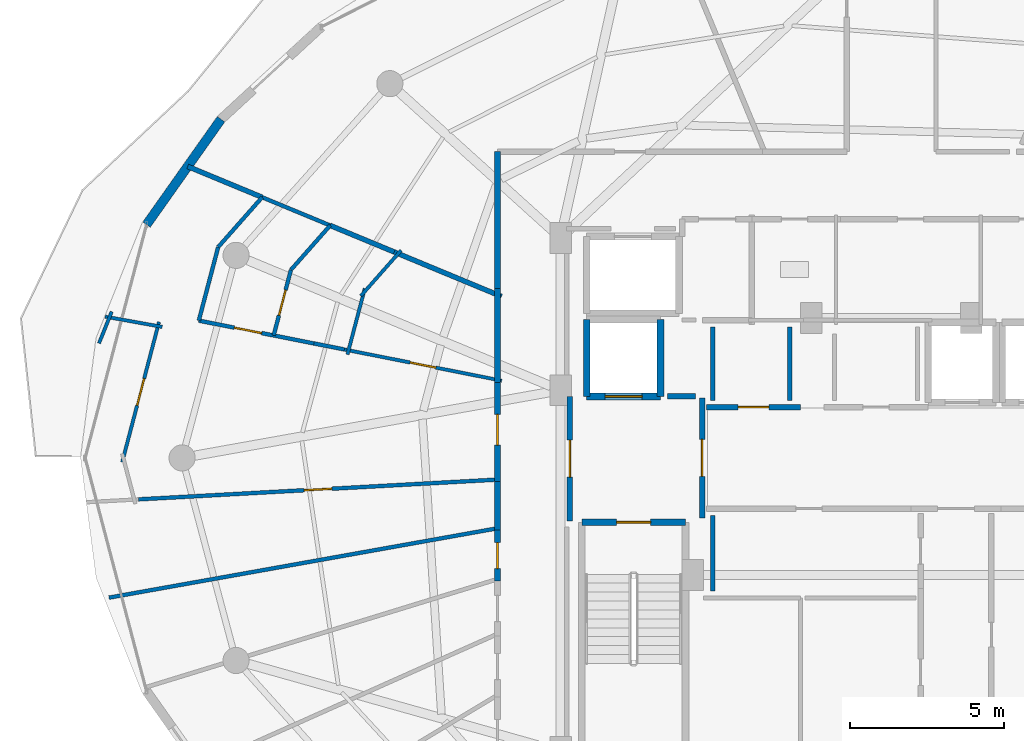
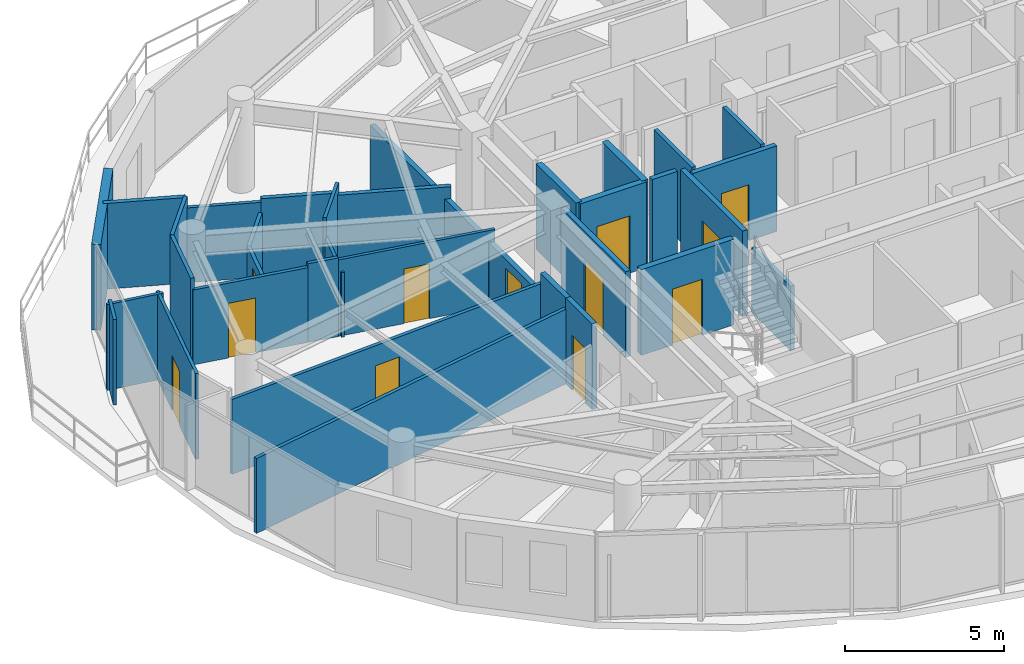
# One storey, part 22 of 30: 35 walls, 12 doors, 12 openings.
"""IFC4 building model written with IfcOpenShell, lengths in metres."""

from ifc_helpers import new_model, si_unit, direction, frame, frame_2d, origin, place, context, subcontext, project, spatial, rectangle, extrude, material, layer, layer_set, type_object, element, fill, save


model = new_model("IFC4")

# Units and contexts
model_context = context("Model", 3, precision=1e-05, world=origin(), true_north=direction((0.0, 1.0)))
body_context = subcontext(model_context, "Body", "Model", "MODEL_VIEW")
ifc_project = project(units=[si_unit("LENGTHUNIT", "METRE"), si_unit("AREAUNIT", "SQUARE_METRE"), si_unit("VOLUMEUNIT", "CUBIC_METRE"), si_unit("PLANEANGLEUNIT", "RADIAN"), si_unit("MASSUNIT", "GRAM", prefix="KILO")], contexts=[model_context])

# Site, building, storey
site_placement = place(None, origin())
site = spatial("IfcSite", under=ifc_project, at=site_placement, CompositionType="ELEMENT")
building_placement = place(site_placement, origin())
building = spatial("IfcBuilding", under=site, at=building_placement, Name="Vorneva Point Tower", CompositionType="ELEMENT")
storey_placement = place(building_placement, frame((0.0, 0.0, 262.64990234375)))
storey = spatial("IfcBuildingStorey", under=building, at=storey_placement, Name="L71", CompositionType="ELEMENT", Elevation=262.64990234375)

# Wall, opening, door
ifc_material_1 = material(Name="Concrete B60 (C50/60)", Category="concrete")
ifc_layer_1 = layer(ifc_material_1, 0.35009765625)
ifc_layer_set_1 = layer_set([ifc_layer_1], Name="Concrete B60 (C50/60)")
wall_type_1 = type_object("IfcWallType", Name="WL-CORE-350", PredefinedType="SHEAR", material=ifc_layer_set_1)
wall_1_placement = place(storey_placement, frame((28.10009765625, 28.0, 0.0), z_axis=(0.0, 0.0, 1.0), x_axis=(1.0, 0.0, 0.0)))
wall_1 = element("IfcWall", 1, at=wall_1_placement, inside=storey, type_object=wall_type_1, Name="L71 Lift FFL1 Shaft Wall -Y", PredefinedType="SHEAR", context=body_context, shape_type="SweptSolid", body=[
    extrude(rectangle(XDim=2.39990234375, YDim=0.219970703125, at=frame_2d((1.199951171875, 0.0))), origin(), (0.0, 0.0, 1.0), 3.2900390625),
])
opening_1_placement = place(wall_1_placement, frame((0.60009765625, 0.0, 0.0)))
opening_1 = element("IfcOpeningElement", 2, at=opening_1_placement, cuts=wall_1, Name="Opening LD-02", PredefinedType="OPENING", context=body_context, shape_type="SweptSolid", body=[
    extrude(rectangle(XDim=1.199951171875, YDim=2.199951171875, at=frame_2d((0.60009765625, 1.10009765625))), frame((0.0, 0.125, 0.0), z_axis=(0.0, -1.0, 0.0), x_axis=(1.0, 0.0, 0.0)), (0.0, 0.0, 1.0), 0.249755859375),
])
ifc_material_2 = material(Name="Brushed stainless steel S304", Category="steel")
door_type_1 = type_object("IfcDoorType", Name="LD-FIRE-1200", OperationType="SLIDING_TO_LEFT", PredefinedType="DOOR", material=ifc_material_2)
door_1_placement = place(opening_1_placement, origin())
door_1 = element("IfcDoor", 3, at=door_1_placement, inside=storey, type_object=door_type_1, Name="L71 Lift FFL1 Sliding Landing Door", OperationType="SLIDING_TO_LEFT", OverallHeight=2.199951171875, OverallWidth=1.199951171875, PredefinedType="DOOR", context=body_context, shape_type="SweptSolid", body=[
    extrude(rectangle(XDim=1.199951171875, YDim=2.199951171875, at=frame_2d((0.60009765625, 1.10009765625))), frame((0.0, 0.02490234375, 0.0), z_axis=(0.0, -1.0, 0.0), x_axis=(1.0, 0.0, 0.0)), (0.0, 0.0, 1.0), 0.050048828125),
])
fill(opening_1, door_1)

# Walls
for number, where, z_axis, x_axis, name in (
    (4, (30.5, 28.0, 0.0), (0.0, 0.0, 1.0), (0.0, 1.0, 0.0), "L71 Lift FFL1 Shaft Wall +X"),
    (5, (28.10009765625, 30.5, 0.0), (0.0, 0.0, 1.0), (0.0, -1.0, 0.0), "L71 Lift FFL1 Shaft Wall -X"),
):
    element("IfcWall", number, at=place(storey_placement, frame(where, z_axis=z_axis, x_axis=x_axis)), inside=storey, type_object=wall_type_1, Name=name, PredefinedType="SHEAR", context=body_context, shape_type="SweptSolid", body=[
        extrude(rectangle(XDim=2.5, YDim=0.219970703125, at=frame_2d((1.25, 0.0))), origin(), (0.0, 0.0, 1.0), 3.2900390625),
    ])
ifc_material_3 = material(Name="Precast concrete B50 (C40/50)", Category="concrete")
ifc_layer_2 = layer(ifc_material_3, 0.300048828125)
ifc_layer_set_2 = layer_set([ifc_layer_2], Name="Precast concrete B50 (C40/50)")
wall_type_2 = type_object("IfcWallType", Name="WL-EXT-300", PredefinedType="STANDARD", material=ifc_layer_set_2)
wall_2_placement = place(storey_placement, frame((16.215576171875, 37.005859375, 0.0), z_axis=(0.0, 0.0, 1.0), x_axis=(-0.577261247247, -0.816559521668, 0.0)))
element("IfcWall", 6, at=wall_2_placement, inside=storey, type_object=wall_type_2, Name="L71 Pale-Metal Facade Spandrel Wall 07.2", PredefinedType="STANDARD", context=body_context, shape_type="SweptSolid", body=[
    extrude(rectangle(XDim=4.194091796875, YDim=0.300048828125, at=frame_2d((2.09716796875, 0.0))), origin(), (0.0, 0.0, 1.0), 3.2900390625),
])

# Wall, opening, door
ifc_material_4 = material(Name="Fire-rated acoustic gypsum stud partition", Category="gypsum")
ifc_layer_3 = layer(ifc_material_4, 0.110107421875)
ifc_layer_set_3 = layer_set([ifc_layer_3], Name="Fire-rated acoustic gypsum stud partition")
wall_type_3 = type_object("IfcWallType", Name="WL-PART-110", PredefinedType="PARTITIONING", material=ifc_layer_set_3)
wall_3_placement = place(storey_placement, frame((25.33740234375, 28.5107421875, 0.0), z_axis=(0.0, 0.0, 1.0), x_axis=(-0.980930272027, 0.194359978959, 0.0)))
wall_3 = element("IfcWall", 7, at=wall_3_placement, inside=storey, type_object=wall_type_3, Name="L71 Interior Partition 072", PredefinedType="PARTITIONING", context=body_context, shape_type="SweptSolid", body=[
    extrude(rectangle(XDim=5.214111328125, YDim=0.110107421875, at=frame_2d((2.60693359375, 0.0))), origin(), (0.0, 0.0, 1.0), 2.93603515625),
])
opening_2_placement = place(wall_3_placement, frame((2.181884765625, 0.0, 0.0)))
opening_2 = element("IfcOpeningElement", 8, at=opening_2_placement, cuts=wall_3, Name="Opening ID-02", PredefinedType="OPENING", context=body_context, shape_type="SweptSolid", body=[
    extrude(rectangle(XDim=0.85009765625, YDim=2.10009765625, at=frame_2d((0.425048828125, 1.050048828125))), frame((0.0, 0.06982421875, 0.0), z_axis=(0.0, -1.0, 0.0), x_axis=(1.0, 0.0, 0.0)), (0.0, 0.0, 1.0), 0.139892578125),
])
ifc_material_5 = material(Name="Engineered oak fire-rated door leaf", Category="wood")
door_type_2 = type_object("IfcDoorType", Name="DR-BATH-850", OperationType="NOTDEFINED", PredefinedType="DOOR", material=ifc_material_5)
door_2_placement = place(opening_2_placement, origin())
door_2 = element("IfcDoor", 9, at=door_2_placement, inside=storey, type_object=door_type_2, Name="L71 Door Living and Dining Room L71-01 / Bathroom L71-01", OperationType="SINGLE_SWING_RIGHT", OverallHeight=2.10009765625, OverallWidth=0.85009765625, PredefinedType="DOOR", context=body_context, shape_type="SweptSolid", body=[
    extrude(rectangle(XDim=0.85009765625, YDim=2.10009765625, at=frame_2d((0.425048828125, 1.050048828125))), frame((0.0, 0.02490234375, 0.0), z_axis=(0.0, -1.0, 0.0), x_axis=(1.0, 0.0, 0.0)), (0.0, 0.0, 1.0), 0.050048828125),
])
fill(opening_2, door_2)

# Walls
wall_4_placement = place(storey_placement, frame((12.6630859375, 30.75390625, 0.0), z_axis=(0.0, 0.0, 1.0), x_axis=(-0.372150787983, -0.928172285195, 0.0)))
element("IfcWall", 10, at=wall_4_placement, inside=storey, type_object=wall_type_3, Name="L71 Interior Partition 073", PredefinedType="PARTITIONING", context=body_context, shape_type="SweptSolid", body=[
    extrude(rectangle(XDim=1.107421875, YDim=0.110107421875, at=frame_2d((0.5537109375, 0.0))), origin(), (0.0, 0.0, 1.0), 3.2900390625),
])
wall_5_placement = place(storey_placement, frame((12.4501953125, 30.591796875, 0.0), z_axis=(0.0, 0.0, 1.0), x_axis=(0.984212226867, -0.176992351488, 0.0)))
element("IfcWall", 11, at=wall_5_placement, inside=storey, type_object=wall_type_3, Name="L71 Interior Partition 074", PredefinedType="PARTITIONING", context=body_context, shape_type="SweptSolid", body=[
    extrude(rectangle(XDim=1.88427734375, YDim=0.110107421875, at=frame_2d((0.942138671875, 0.0))), origin(), (0.0, 0.0, 1.0), 3.2900390625),
])

# Wall, opening, door
wall_6_placement = place(storey_placement, frame((14.20263671875, 30.41845703125, 0.0), z_axis=(0.0, 0.0, 1.0), x_axis=(-0.254460123068, -0.967083267236, 0.0)))
wall_6 = element("IfcWall", 12, at=wall_6_placement, inside=storey, type_object=wall_type_3, Name="L71 Interior Partition 075", PredefinedType="PARTITIONING", context=body_context, shape_type="SweptSolid", body=[
    extrude(rectangle(XDim=4.708984375, YDim=0.110107421875, at=frame_2d((2.3544921875, 0.0))), origin(), (0.0, 0.0, 1.0), 3.2900390625),
])
opening_3_placement = place(wall_6_placement, frame((1.904296875, 0.0, 0.0)))
opening_3 = element("IfcOpeningElement", 13, at=opening_3_placement, cuts=wall_6, Name="Opening ID-01", PredefinedType="OPENING", context=body_context, shape_type="SweptSolid", body=[
    extrude(rectangle(XDim=0.89990234375, YDim=2.10009765625, at=frame_2d((0.449951171875, 1.050048828125))), frame((0.0, 0.06982421875, 0.0), z_axis=(0.0, -1.0, 0.0), x_axis=(1.0, 0.0, 0.0)), (0.0, 0.0, 1.0), 0.139892578125),
])
door_type_3 = type_object("IfcDoorType", Name="DR-ROOM-900", OperationType="NOTDEFINED", PredefinedType="DOOR", material=ifc_material_5)
door_3_placement = place(opening_3_placement, origin())
door_3 = element("IfcDoor", 14, at=door_3_placement, inside=storey, type_object=door_type_3, Name="L71 Door Living and Dining Room L71-01 / Kitchen L71-01", OperationType="SINGLE_SWING_LEFT", OverallHeight=2.10009765625, OverallWidth=0.89990234375, PredefinedType="DOOR", context=body_context, shape_type="SweptSolid", body=[
    extrude(rectangle(XDim=0.89990234375, YDim=2.10009765625, at=frame_2d((0.449951171875, 1.050048828125))), frame((0.0, 0.02490234375, 0.0), z_axis=(0.0, -1.0, 0.0), x_axis=(1.0, 0.0, 0.0)), (0.0, 0.0, 1.0), 0.050048828125),
])
fill(opening_3, door_3)

# Walls
wall_7_placement = place(storey_placement, frame((22.065673828125, 32.743896484375, 0.0), z_axis=(0.0, 0.0, 1.0), x_axis=(-0.662047420969, -0.749461948593, 0.0)))
element("IfcWall", 15, at=wall_7_placement, inside=storey, type_object=wall_type_3, Name="L71 Interior Partition 083", PredefinedType="PARTITIONING", context=body_context, shape_type="SweptSolid", body=[
    extrude(rectangle(XDim=1.9716796875, YDim=0.110107421875, at=frame_2d((0.98583984375, 0.0))), origin(), (0.0, 0.0, 1.0), 3.2900390625),
])
wall_8_placement = place(storey_placement, frame((20.888671875, 31.50634765625, 0.0), z_axis=(0.0, 0.0, 1.0), x_axis=(-0.254406599134, -0.967097348935, 0.0)))
element("IfcWall", 16, at=wall_8_placement, inside=storey, type_object=wall_type_3, Name="L71 Interior Partition 084", PredefinedType="PARTITIONING", context=body_context, shape_type="SweptSolid", body=[
    extrude(rectangle(XDim=2.2177734375, YDim=0.110107421875, at=frame_2d((1.10888671875, 0.0))), origin(), (0.0, 0.0, 1.0), 2.482177734375),
])

# Wall, opening, door
ifc_layer_4 = layer(ifc_material_4, 0.125)
ifc_layer_set_4 = layer_set([ifc_layer_4], Name="Fire-rated acoustic gypsum stud partition")
wall_type_4 = type_object("IfcWallType", Name="WL-PART-125", PredefinedType="PARTITIONING", material=ifc_layer_set_4)
wall_9_placement = place(storey_placement, frame((19.236083984375, 29.719970703125, 0.0), z_axis=(0.0, 0.0, 1.0), x_axis=(-0.980906665774, 0.194479081243, 0.0)))
wall_9 = element("IfcWall", 17, at=wall_9_placement, inside=storey, type_object=wall_type_4, Name="L71 Interior Partition 068", PredefinedType="PARTITIONING", context=body_context, shape_type="SweptSolid", body=[
    extrude(rectangle(XDim=3.81494140625, YDim=0.125, at=frame_2d((1.907470703125, 0.0))), origin(), (0.0, 0.0, 1.0), 2.8740234375),
])
opening_4_placement = place(wall_9_placement, frame((1.7373046875, 0.0, 0.0)))
opening_4 = element("IfcOpeningElement", 18, at=opening_4_placement, cuts=wall_9, Name="Opening ID-01", PredefinedType="OPENING", context=body_context, shape_type="SweptSolid", body=[
    extrude(rectangle(XDim=0.89990234375, YDim=2.10009765625, at=frame_2d((0.449951171875, 1.050048828125))), frame((0.0, 0.077392578125, 0.0), z_axis=(0.0, -1.0, 0.0), x_axis=(1.0, 0.0, 0.0)), (0.0, 0.0, 1.0), 0.15478515625),
])
door_4_placement = place(opening_4_placement, origin())
door_4 = element("IfcDoor", 19, at=door_4_placement, inside=storey, type_object=door_type_3, Name="L71 Door Living and Dining Room L71-01 / Family Dining Room L71-01", OperationType="SINGLE_SWING_LEFT", OverallHeight=2.10009765625, OverallWidth=0.89990234375, PredefinedType="DOOR", context=body_context, shape_type="SweptSolid", body=[
    extrude(rectangle(XDim=0.89990234375, YDim=2.10009765625, at=frame_2d((0.449951171875, 1.050048828125))), frame((0.0, 0.02490234375, 0.0), z_axis=(0.0, -1.0, 0.0), x_axis=(1.0, 0.0, 0.0)), (0.0, 0.0, 1.0), 0.050048828125),
])
fill(opening_4, door_4)

# Walls
wall_10_placement = place(storey_placement, frame((15.493896484375, 30.4619140625, 0.0), z_axis=(0.0, 0.0, 1.0), x_axis=(0.254459276467, 0.967083489995, 0.0)))
element("IfcWall", 20, at=wall_10_placement, inside=storey, type_object=wall_type_4, Name="L71 Interior Partition 069", PredefinedType="PARTITIONING", context=body_context, shape_type="SweptSolid", body=[
    extrude(rectangle(XDim=2.472412109375, YDim=0.125, at=frame_2d((1.236328125, 0.0))), origin(), (0.0, 0.0, 1.0), 3.2900390625),
])
wall_11_placement = place(storey_placement, frame((16.123046875, 32.85302734375, 0.0), z_axis=(0.0, 0.0, 1.0), x_axis=(0.662205183315, 0.749322557508, 0.0)))
element("IfcWall", 21, at=wall_11_placement, inside=storey, type_object=wall_type_4, Name="L71 Interior Partition 070", PredefinedType="PARTITIONING", context=body_context, shape_type="SweptSolid", body=[
    extrude(rectangle(XDim=2.157958984375, YDim=0.125, at=frame_2d((1.0791015625, 0.0))), origin(), (0.0, 0.0, 1.0), 3.2900390625),
])
wall_12_placement = place(storey_placement, frame((17.552001953125, 34.469970703125, 0.0), z_axis=(0.0, 0.0, 1.0), x_axis=(0.923932252837, -0.382556129434, 0.0)))
element("IfcWall", 22, at=wall_12_placement, inside=storey, type_object=wall_type_4, Name="L71 Interior Partition 071", PredefinedType="PARTITIONING", context=body_context, shape_type="SweptSolid", body=[
    extrude(rectangle(XDim=2.391845703125, YDim=0.125, at=frame_2d((1.19580078125, 0.0))), origin(), (0.0, 0.0, 1.0), 2.8740234375),
])
wall_13_placement = place(storey_placement, frame((20.22265625, 29.5244140625, 0.0), z_axis=(0.0, 0.0, 1.0), x_axis=(-0.98086901598, 0.194668881667, 0.0)))
element("IfcWall", 23, at=wall_13_placement, inside=storey, type_object=wall_type_4, Name="L71 Interior Partition 078", PredefinedType="PARTITIONING", context=body_context, shape_type="SweptSolid", body=[
    extrude(rectangle(XDim=1.005859375, YDim=0.125, at=frame_2d((0.5029296875, 0.0))), origin(), (0.0, 0.0, 1.0), 3.022216796875),
])

# Wall, opening, door
wall_14_placement = place(storey_placement, frame((13.535888671875, 24.6533203125, 0.0), z_axis=(0.0, 0.0, 1.0), x_axis=(0.998485968097, 0.055007013313, 0.0)))
wall_14 = element("IfcWall", 24, at=wall_14_placement, inside=storey, type_object=wall_type_4, Name="L71 Interior Partition 079", PredefinedType="PARTITIONING", context=body_context, shape_type="SweptSolid", body=[
    extrude(rectangle(XDim=11.681640625, YDim=0.125, at=frame_2d((5.8408203125, 0.0))), origin(), (0.0, 0.0, 1.0), 2.8740234375),
])
opening_5_placement = place(wall_14_placement, frame((5.390869140625, 0.0, 0.0)))
opening_5 = element("IfcOpeningElement", 25, at=opening_5_placement, cuts=wall_14, Name="Opening ID-01", PredefinedType="OPENING", context=body_context, shape_type="SweptSolid", body=[
    extrude(rectangle(XDim=0.89990234375, YDim=2.10009765625, at=frame_2d((0.449951171875, 1.050048828125))), frame((0.0, 0.077392578125, 0.0), z_axis=(0.0, -1.0, 0.0), x_axis=(1.0, 0.0, 0.0)), (0.0, 0.0, 1.0), 0.15478515625),
])
door_5_placement = place(opening_5_placement, origin())
door_5 = element("IfcDoor", 26, at=door_5_placement, inside=storey, type_object=door_type_3, Name="L71 Door Living and Dining Room L71-01 / Master Bedroom L71-01.1", OperationType="SINGLE_SWING_LEFT", OverallHeight=2.10009765625, OverallWidth=0.89990234375, PredefinedType="DOOR", context=body_context, shape_type="SweptSolid", body=[
    extrude(rectangle(XDim=0.89990234375, YDim=2.10009765625, at=frame_2d((0.449951171875, 1.050048828125))), frame((0.0, 0.02490234375, 0.0), z_axis=(0.0, -1.0, 0.0), x_axis=(1.0, 0.0, 0.0)), (0.0, 0.0, 1.0), 0.050048828125),
])
fill(opening_5, door_5)

wall_15_placement = place(storey_placement, frame((17.927001953125, 29.97998046875, 0.0), z_axis=(0.0, 0.0, 1.0), x_axis=(0.254476946675, 0.967078840432, 0.0)))
wall_15 = element("IfcWall", 27, at=wall_15_placement, inside=storey, type_object=wall_type_4, Name="L71 Interior Partition 081", PredefinedType="PARTITIONING", context=body_context, shape_type="SweptSolid", body=[
    extrude(rectangle(XDim=2.20458984375, YDim=0.125, at=frame_2d((1.102294921875, 0.0))), origin(), (0.0, 0.0, 1.0), 2.482177734375),
])
opening_6_placement = place(wall_15_placement, frame((0.67724609375, 0.0, 0.0)))
opening_6 = element("IfcOpeningElement", 28, at=opening_6_placement, cuts=wall_15, Name="Opening ID-02", PredefinedType="OPENING", context=body_context, shape_type="SweptSolid", body=[
    extrude(rectangle(XDim=0.85009765625, YDim=2.10009765625, at=frame_2d((0.425048828125, 1.050048828125))), frame((0.0, 0.077392578125, 0.0), z_axis=(0.0, -1.0, 0.0), x_axis=(1.0, 0.0, 0.0)), (0.0, 0.0, 1.0), 0.15478515625),
])
door_6_placement = place(opening_6_placement, origin())
door_6 = element("IfcDoor", 29, at=door_6_placement, inside=storey, type_object=door_type_2, Name="L71 Access Door Family Dining Room L71-01", OperationType="SINGLE_SWING_RIGHT", OverallHeight=2.10009765625, OverallWidth=0.85009765625, PredefinedType="DOOR", context=body_context, shape_type="SweptSolid", body=[
    extrude(rectangle(XDim=0.85009765625, YDim=2.10009765625, at=frame_2d((0.425048828125, 1.050048828125))), frame((0.0, 0.02490234375, 0.0), z_axis=(0.0, -1.0, 0.0), x_axis=(1.0, 0.0, 0.0)), (0.0, 0.0, 1.0), 0.050048828125),
])
fill(opening_6, door_6)

# Walls
wall_16_placement = place(storey_placement, frame((18.488037109375, 32.112060546875, 0.0), z_axis=(0.0, 0.0, 1.0), x_axis=(0.661856531983, 0.749630529709, 0.0)))
element("IfcWall", 30, at=wall_16_placement, inside=storey, type_object=wall_type_4, Name="L71 Interior Partition 082", PredefinedType="PARTITIONING", context=body_context, shape_type="SweptSolid", body=[
    extrude(rectangle(XDim=1.9248046875, YDim=0.125, at=frame_2d((0.96240234375, 0.0))), origin(), (0.0, 0.0, 1.0), 2.482177734375),
])
wall_17_placement = place(storey_placement, frame((12.576904296875, 21.4599609375, 0.0), z_axis=(0.0, 0.0, 1.0), x_axis=(0.984427104809, 0.175793274383, 0.0)))
element("IfcWall", 31, at=wall_17_placement, inside=storey, type_object=wall_type_4, Name="L71 Interior Partition 087", PredefinedType="PARTITIONING", context=body_context, shape_type="SweptSolid", body=[
    extrude(rectangle(XDim=12.82275390625, YDim=0.125, at=frame_2d((6.411376953125, 0.0))), origin(), (0.0, 0.0, 1.0), 2.8740234375),
])
ifc_layer_5 = layer(ifc_material_4, 0.139892578125)
ifc_layer_set_5 = layer_set([ifc_layer_5], Name="Fire-rated acoustic gypsum stud partition")
wall_type_5 = type_object("IfcWallType", Name="WL-PART-140", PredefinedType="PARTITIONING", material=ifc_layer_set_5)
for number, where, z_axis, x_axis, name in (
    (32, (32.199951171875, 30.260009765625, 0.0), (0.0, 0.0, 1.0), (0.0, -1.0, 0.0), "L71 Interior Closure Partition 147"),
    (33, (34.699951171875, 27.8701171875, 0.0), (0.0, 0.0, 1.0), (0.0, 1.0, 0.0), "L71 Interior Closure Partition 148"),
):
    element("IfcWall", number, at=place(storey_placement, frame(where, z_axis=z_axis, x_axis=x_axis)), inside=storey, type_object=wall_type_5, Name=name, PredefinedType="PARTITIONING", context=body_context, shape_type="SweptSolid", body=[
        extrude(rectangle(XDim=2.389892578125, YDim=0.139892578125, at=frame_2d((1.19482421875, 0.0))), origin(), (0.0, 0.0, 1.0), 3.2900390625),
    ])
wall_18_placement = place(storey_placement, frame((32.199951171875, 24.1298828125, 0.0), z_axis=(0.0, 0.0, 1.0), x_axis=(0.0, -1.0, 0.0)))
element("IfcWall", 34, at=wall_18_placement, inside=storey, type_object=wall_type_5, Name="L71 Interior Closure Partition 151", PredefinedType="PARTITIONING", context=body_context, shape_type="SweptSolid", body=[
    extrude(rectangle(XDim=2.4599609375, YDim=0.139892578125, at=frame_2d((1.22998046875, 0.0))), origin(), (0.0, 0.0, 1.0), 2.482177734375),
])
ifc_layer_6 = layer(ifc_material_4, 0.159912109375)
ifc_layer_set_6 = layer_set([ifc_layer_6], Name="Fire-rated acoustic gypsum stud partition")
wall_type_6 = type_object("IfcWallType", Name="WL-PART-160", PredefinedType="PARTITIONING", material=ifc_layer_set_6)
wall_19_placement = place(storey_placement, frame((17.552001953125, 34.47021484375, 0.0), z_axis=(0.0, 0.0, 1.0), x_axis=(-0.9239134198, 0.382601610965, 0.0)))
element("IfcWall", 35, at=wall_19_placement, inside=storey, type_object=wall_type_6, Name="L71 Interior Partition 080", PredefinedType="PARTITIONING", context=body_context, shape_type="SweptSolid", body=[
    extrude(rectangle(XDim=2.6181640625, YDim=0.159912109375, at=frame_2d((1.30908203125, 0.0))), origin(), (0.0, 0.0, 1.0), 3.2900390625),
])
wall_20_placement = place(storey_placement, frame((25.329345703125, 31.248291015625, 0.0), z_axis=(0.0, 0.0, 1.0), x_axis=(-0.923827524065, 0.382808967736, 0.0)))
element("IfcWall", 36, at=wall_20_placement, inside=storey, type_object=wall_type_6, Name="L71 Interior Partition 085", PredefinedType="PARTITIONING", context=body_context, shape_type="SweptSolid", body=[
    extrude(rectangle(XDim=3.77294921875, YDim=0.159912109375, at=frame_2d((1.886474609375, 0.0))), origin(), (0.0, 0.0, 1.0), 2.93603515625),
])
wall_21_placement = place(storey_placement, frame((21.84375, 32.692626953125, 0.0), z_axis=(0.0, 0.0, 1.0), x_axis=(-0.92387949598, 0.382683520559, 0.0)))
element("IfcWall", 37, at=wall_21_placement, inside=storey, type_object=wall_type_6, Name="L71 Interior Partition 086", PredefinedType="PARTITIONING", context=body_context, shape_type="SweptSolid", body=[
    extrude(rectangle(XDim=2.25341796875, YDim=0.159912109375, at=frame_2d((1.126708984375, 0.0))), origin(), (0.0, 0.0, 1.0), 3.022216796875),
])

# Wall, opening, door
ifc_material_6 = material(Name="Autoclaved aerated concrete blockwork", Category="masonry")
ifc_layer_7 = layer(ifc_material_6, 0.179931640625)
ifc_layer_set_7 = layer_set([ifc_layer_7], Name="Autoclaved aerated concrete blockwork")
wall_type_7 = type_object("IfcWallType", Name="WL-PART-180", PredefinedType="PARTITIONING", material=ifc_layer_set_7)
wall_22_placement = place(storey_placement, frame((31.85009765625, 24.044921875, 0.0), z_axis=(0.0, 0.0, 1.0), x_axis=(0.0, 1.0, 0.0)))
wall_22 = element("IfcWall", 38, at=wall_22_placement, inside=storey, type_object=wall_type_7, Name="L71 Interior Partition 001", PredefinedType="PARTITIONING", context=body_context, shape_type="SweptSolid", body=[
    extrude(rectangle(XDim=3.91015625, YDim=0.179931640625, at=frame_2d((1.955078125, 0.0))), origin(), (0.0, 0.0, 1.0), 3.2900390625),
])
opening_7_placement = place(wall_22_placement, frame((1.35498046875, 0.0, 0.0)))
opening_7 = element("IfcOpeningElement", 39, at=opening_7_placement, cuts=wall_22, Name="Opening FD-02", PredefinedType="OPENING", context=body_context, shape_type="SweptSolid", body=[
    extrude(rectangle(XDim=1.199951171875, YDim=2.14990234375, at=frame_2d((0.60009765625, 1.074951171875))), frame((0.0, 0.10498046875, 0.0), z_axis=(0.0, -1.0, 0.0), x_axis=(1.0, 0.0, 0.0)), (0.0, 0.0, 1.0), 0.209716796875),
])
ifc_material_7 = material(Name="Fire-rated powder-coated steel", Category="steel")
door_type_4 = type_object("IfcDoorType", Name="DR-FFL-1200", OperationType="NOTDEFINED", PredefinedType="DOOR", material=ifc_material_7)
door_7_placement = place(opening_7_placement, origin())
door_7 = element("IfcDoor", 40, at=door_7_placement, inside=storey, type_object=door_type_4, Name="L71 Door West Firefighting Lobby / Central Lift Lobby", OperationType="SINGLE_SWING_LEFT", OverallHeight=2.14990234375, OverallWidth=1.199951171875, PredefinedType="DOOR", context=body_context, shape_type="SweptSolid", body=[
    extrude(rectangle(XDim=1.199951171875, YDim=2.14990234375, at=frame_2d((0.60009765625, 1.074951171875))), frame((0.0, 0.02490234375, 0.0), z_axis=(0.0, -1.0, 0.0), x_axis=(1.0, 0.0, 0.0)), (0.0, 0.0, 1.0), 0.050048828125),
])
fill(opening_7, door_7)

wall_23_placement = place(storey_placement, frame((27.550048828125, 28.0, 0.0), z_axis=(0.0, 0.0, 1.0), x_axis=(0.0, -1.0, 0.0)))
wall_23 = element("IfcWall", 41, at=wall_23_placement, inside=storey, type_object=wall_type_7, Name="L71 Interior Partition 002", PredefinedType="PARTITIONING", context=body_context, shape_type="SweptSolid", body=[
    extrude(rectangle(XDim=4.050048828125, YDim=0.179931640625, at=frame_2d((2.02490234375, 0.0))), origin(), (0.0, 0.0, 1.0), 3.2900390625),
])
opening_8_placement = place(wall_23_placement, frame((1.425048828125, 0.0, 0.0)))
opening_8 = element("IfcOpeningElement", 42, at=opening_8_placement, cuts=wall_23, Name="Opening FD-02", PredefinedType="OPENING", context=body_context, shape_type="SweptSolid", body=[
    extrude(rectangle(XDim=1.199951171875, YDim=2.14990234375, at=frame_2d((0.60009765625, 1.074951171875))), frame((0.0, 0.10498046875, 0.0), z_axis=(0.0, -1.0, 0.0), x_axis=(1.0, 0.0, 0.0)), (0.0, 0.0, 1.0), 0.209716796875),
])
door_8_placement = place(opening_8_placement, origin())
door_8 = element("IfcDoor", 43, at=door_8_placement, inside=storey, type_object=door_type_4, Name="L71 Door West Firefighting Lobby / L71 Circulation Corridor", OperationType="SINGLE_SWING_RIGHT", OverallHeight=2.14990234375, OverallWidth=1.199951171875, PredefinedType="DOOR", context=body_context, shape_type="SweptSolid", body=[
    extrude(rectangle(XDim=1.199951171875, YDim=2.14990234375, at=frame_2d((0.60009765625, 1.074951171875))), frame((0.0, 0.02490234375, 0.0), z_axis=(0.0, -1.0, 0.0), x_axis=(1.0, 0.0, 0.0)), (0.0, 0.0, 1.0), 0.050048828125),
])
fill(opening_8, door_8)

wall_24_placement = place(storey_placement, frame((35.0400390625, 27.64990234375, 0.0), z_axis=(0.0, 0.0, 1.0), x_axis=(-1.0, 0.0, 0.0)))
wall_24 = element("IfcWall", 44, at=wall_24_placement, inside=storey, type_object=wall_type_7, Name="L71 Interior Partition 012", PredefinedType="PARTITIONING", context=body_context, shape_type="SweptSolid", body=[
    extrude(rectangle(XDim=3.0400390625, YDim=0.179931640625, at=frame_2d((1.52001953125, 0.0))), origin(), (0.0, 0.0, 1.0), 3.2900390625),
])
opening_9_placement = place(wall_24_placement, frame((1.02001953125, 0.0, 0.0)))
opening_9 = element("IfcOpeningElement", 45, at=opening_9_placement, cuts=wall_24, Name="Opening UD-01", PredefinedType="OPENING", context=body_context, shape_type="SweptSolid", body=[
    extrude(rectangle(XDim=1.0, YDim=2.14990234375, at=frame_2d((0.5, 1.074951171875))), frame((0.0, 0.10498046875, 0.0), z_axis=(0.0, -1.0, 0.0), x_axis=(1.0, 0.0, 0.0)), (0.0, 0.0, 1.0), 0.209716796875),
])
door_type_5 = type_object("IfcDoorType", Name="DR-UNIT-1000", OperationType="NOTDEFINED", PredefinedType="DOOR", material=ifc_material_5)
door_9_placement = place(opening_9_placement, origin())
door_9 = element("IfcDoor", 46, at=door_9_placement, inside=storey, type_object=door_type_5, Name="L71 Door Central Lift Lobby / Reclaimed Core Lounge", OperationType="SINGLE_SWING_RIGHT", OverallHeight=2.14990234375, OverallWidth=1.0, PredefinedType="DOOR", context=body_context, shape_type="SweptSolid", body=[
    extrude(rectangle(XDim=1.0, YDim=2.14990234375, at=frame_2d((0.5, 1.074951171875))), frame((0.0, 0.02490234375, 0.0), z_axis=(0.0, -1.0, 0.0), x_axis=(1.0, 0.0, 0.0)), (0.0, 0.0, 1.0), 0.050048828125),
])
fill(opening_9, door_9)

wall_25_placement = place(storey_placement, frame((25.199951171875, 28.59912109375, 0.0), z_axis=(0.0, 0.0, 1.0), x_axis=(0.0, -1.0, 0.0)))
wall_25 = element("IfcWall", 47, at=wall_25_placement, inside=storey, type_object=wall_type_7, Name="L71 Interior Partition 033", PredefinedType="PARTITIONING", context=body_context, shape_type="SweptSolid", body=[
    extrude(rectangle(XDim=3.363037109375, YDim=0.179931640625, at=frame_2d((1.681640625, 0.0))), origin(), (0.0, 0.0, 1.0), 2.482177734375),
])
opening_10_placement = place(wall_25_placement, frame((1.181396484375, 0.0, 0.0)))
opening_10 = element("IfcOpeningElement", 48, at=opening_10_placement, cuts=wall_25, Name="Opening UD-01", PredefinedType="OPENING", context=body_context, shape_type="SweptSolid", body=[
    extrude(rectangle(XDim=1.0, YDim=2.14990234375, at=frame_2d((0.5, 1.074951171875))), frame((0.0, 0.10498046875, 0.0), z_axis=(0.0, -1.0, 0.0), x_axis=(1.0, 0.0, 0.0)), (0.0, 0.0, 1.0), 0.209716796875),
])
door_10_placement = place(opening_10_placement, origin())
door_10 = element("IfcDoor", 49, at=door_10_placement, inside=storey, type_object=door_type_5, Name="L71 Door L71 Circulation Corridor / Living and Dining Room L71-01", OperationType="SINGLE_SWING_LEFT", OverallHeight=2.14990234375, OverallWidth=1.0, PredefinedType="DOOR", context=body_context, shape_type="SweptSolid", body=[
    extrude(rectangle(XDim=1.0, YDim=2.14990234375, at=frame_2d((0.5, 1.074951171875))), frame((0.0, 0.02490234375, 0.0), z_axis=(0.0, -1.0, 0.0), x_axis=(1.0, 0.0, 0.0)), (0.0, 0.0, 1.0), 0.050048828125),
])
fill(opening_10, door_10)

# Walls
wall_26_placement = place(storey_placement, frame((25.199951171875, 31.507080078125, 0.0), z_axis=(0.0, 0.0, 1.0), x_axis=(0.0, -1.0, 0.0)))
element("IfcWall", 50, at=wall_26_placement, inside=storey, type_object=wall_type_7, Name="L71 Interior Partition 034", PredefinedType="PARTITIONING", context=body_context, shape_type="SweptSolid", body=[
    extrude(rectangle(XDim=3.048095703125, YDim=0.179931640625, at=frame_2d((1.52392578125, 0.0))), origin(), (0.0, 0.0, 1.0), 2.482177734375),
])
wall_27_placement = place(storey_placement, frame((25.199951171875, 25.236083984375, 0.0), z_axis=(0.0, 0.0, 1.0), x_axis=(0.0, -1.0, 0.0)))
element("IfcWall", 51, at=wall_27_placement, inside=storey, type_object=wall_type_7, Name="L71 Interior Partition 035", PredefinedType="PARTITIONING", context=body_context, shape_type="SweptSolid", body=[
    extrude(rectangle(XDim=1.5830078125, YDim=0.179931640625, at=frame_2d((0.79150390625, 0.0))), origin(), (0.0, 0.0, 1.0), 3.2900390625),
])

# Wall, opening, door
wall_28_placement = place(storey_placement, frame((25.199951171875, 23.653076171875, 0.0), z_axis=(0.0, 0.0, 1.0), x_axis=(0.0, -1.0, 0.0)))
wall_28 = element("IfcWall", 52, at=wall_28_placement, inside=storey, type_object=wall_type_7, Name="L71 Interior Partition 036", PredefinedType="PARTITIONING", context=body_context, shape_type="SweptSolid", body=[
    extrude(rectangle(XDim=1.654052734375, YDim=0.179931640625, at=frame_2d((0.8271484375, 0.0))), origin(), (0.0, 0.0, 1.0), 3.2900390625),
])
opening_11_placement = place(wall_28_placement, frame((0.402099609375, 0.0, 0.0)))
opening_11 = element("IfcOpeningElement", 53, at=opening_11_placement, cuts=wall_28, Name="Opening ID-02", PredefinedType="OPENING", context=body_context, shape_type="SweptSolid", body=[
    extrude(rectangle(XDim=0.85009765625, YDim=2.10009765625, at=frame_2d((0.425048828125, 1.050048828125))), frame((0.0, 0.10498046875, 0.0), z_axis=(0.0, -1.0, 0.0), x_axis=(1.0, 0.0, 0.0)), (0.0, 0.0, 1.0), 0.209716796875),
])
door_11_placement = place(opening_11_placement, origin())
door_11 = element("IfcDoor", 54, at=door_11_placement, inside=storey, type_object=door_type_2, Name="L71 Access Door L71 Circulation Corridor", OperationType="SINGLE_SWING_RIGHT", OverallHeight=2.10009765625, OverallWidth=0.85009765625, PredefinedType="DOOR", context=body_context, shape_type="SweptSolid", body=[
    extrude(rectangle(XDim=0.85009765625, YDim=2.10009765625, at=frame_2d((0.425048828125, 1.050048828125))), frame((0.0, 0.02490234375, 0.0), z_axis=(0.0, -1.0, 0.0), x_axis=(1.0, 0.0, 0.0)), (0.0, 0.0, 1.0), 0.050048828125),
])
fill(opening_11, door_11)

# Walls
wall_29_placement = place(storey_placement, frame((25.199951171875, 35.949951171875, 0.0), z_axis=(0.0, 0.0, 1.0), x_axis=(0.0, -1.0, 0.0)))
element("IfcWall", 55, at=wall_29_placement, inside=storey, type_object=wall_type_7, Name="L71 Interior Partition 067", PredefinedType="PARTITIONING", context=body_context, shape_type="SweptSolid", body=[
    extrude(rectangle(XDim=4.44287109375, YDim=0.179931640625, at=frame_2d((2.221435546875, 0.0))), origin(), (0.0, 0.0, 1.0), 2.482177734375),
])
wall_30_placement = place(storey_placement, frame((31.635009765625, 28.0, 0.0), z_axis=(0.0, 0.0, 1.0), x_axis=(-1.0, 0.0, 0.0)))
element("IfcWall", 56, at=wall_30_placement, inside=storey, type_object=wall_type_7, Name="L71 Interior Closure Partition 141", PredefinedType="PARTITIONING", context=body_context, shape_type="SweptSolid", body=[
    extrude(rectangle(XDim=0.9150390625, YDim=0.179931640625, at=frame_2d((0.45751953125, 0.0))), origin(), (0.0, 0.0, 1.0), 3.2900390625),
])

# Wall, opening, door
ifc_material_8 = material(Name="Concrete B50 (C40/50)", Category="concrete")
ifc_layer_8 = layer(ifc_material_8, 0.219970703125)
ifc_layer_set_8 = layer_set([ifc_layer_8], Name="Concrete B50 (C40/50)")
wall_type_8 = type_object("IfcWallType", Name="WL-SHFT-220", PredefinedType="SOLIDWALL", material=ifc_layer_set_8)
wall_31_placement = place(storey_placement, frame((27.93994140625, 23.909912109375, 0.0), z_axis=(0.0, 0.0, 1.0), x_axis=(1.0, 0.0, 0.0)))
wall_31 = element("IfcWall", 57, at=wall_31_placement, inside=storey, type_object=wall_type_8, Name="L71 Exit Stair ST1 Shaft Wall near", PredefinedType="SOLIDWALL", context=body_context, shape_type="SweptSolid", body=[
    extrude(rectangle(XDim=3.3701171875, YDim=0.219970703125, at=frame_2d((1.68505859375, 0.0))), origin(), (0.0, 0.0, 1.0), 3.2900390625),
])
opening_12_placement = place(wall_31_placement, frame((1.135009765625, 0.0, 0.0)))
opening_12 = element("IfcOpeningElement", 58, at=opening_12_placement, cuts=wall_31, Name="Opening FD-01", PredefinedType="OPENING", context=body_context, shape_type="SweptSolid", body=[
    extrude(rectangle(XDim=1.10009765625, YDim=2.14990234375, at=frame_2d((0.550048828125, 1.074951171875))), frame((0.0, 0.125, 0.0), z_axis=(0.0, -1.0, 0.0), x_axis=(1.0, 0.0, 0.0)), (0.0, 0.0, 1.0), 0.249755859375),
])
door_type_6 = type_object("IfcDoorType", Name="DR-STAIR-1100", OperationType="NOTDEFINED", PredefinedType="DOOR", material=ifc_material_7)
door_12_placement = place(opening_12_placement, origin())
door_12 = element("IfcDoor", 59, at=door_12_placement, inside=storey, type_object=door_type_6, Name="L71 Exit Stair ST1 Fire Door", OperationType="SINGLE_SWING_LEFT", OverallHeight=2.14990234375, OverallWidth=1.10009765625, PredefinedType="DOOR", context=body_context, shape_type="SweptSolid", body=[
    extrude(rectangle(XDim=1.10009765625, YDim=2.14990234375, at=frame_2d((0.550048828125, 1.074951171875))), frame((0.0, 0.02490234375, 0.0), z_axis=(0.0, -1.0, 0.0), x_axis=(1.0, 0.0, 0.0)), (0.0, 0.0, 1.0), 0.050048828125),
])
fill(opening_12, door_12)

save(model, "model.ifc")
